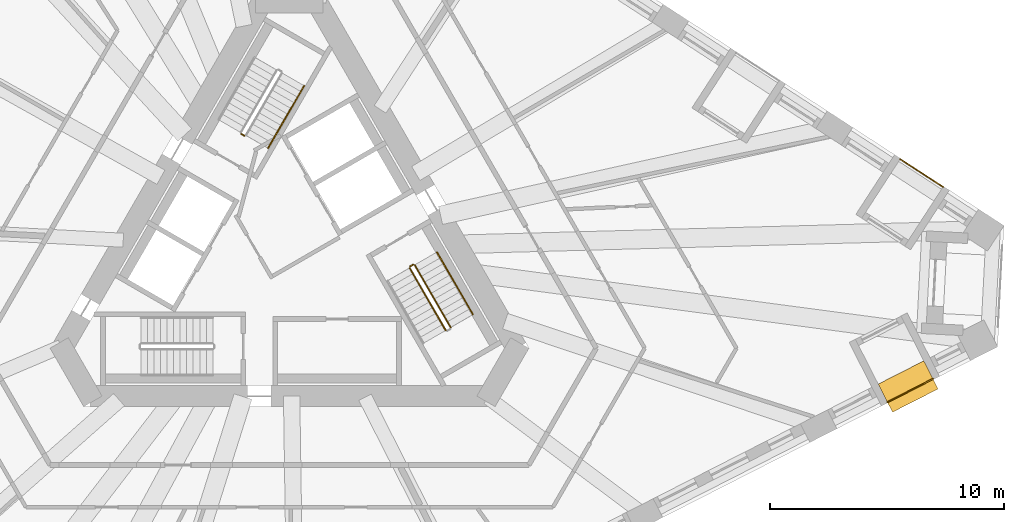
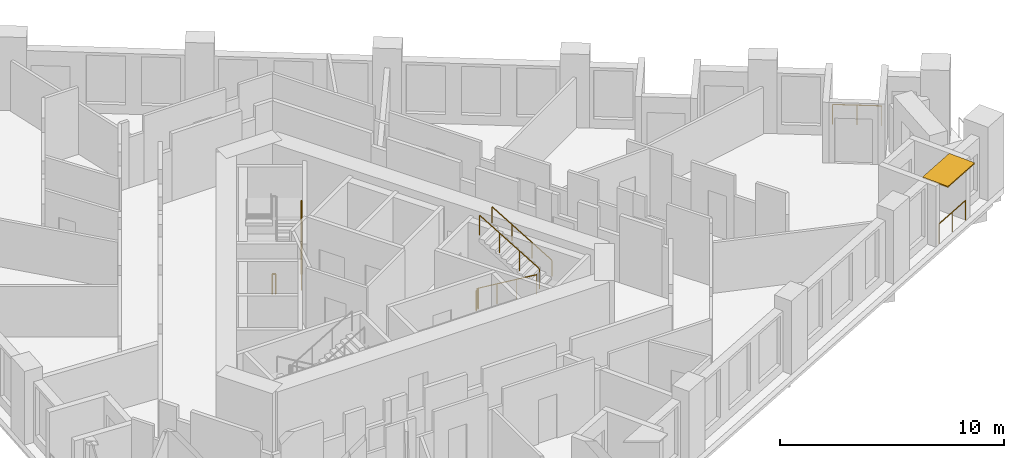
# One storey, part 10 of 12: 8 railings, 1 shading device.
"""IFC4 building model written with IfcOpenShell, lengths in metres."""

from ifc_helpers import new_model, si_unit, direction, frame, origin, origin_2d, place, context, subcontext, project, spatial, rectangle, circle, extrude, material, layer, layer_set, type_object, element, save


model = new_model("IFC4")

# Units and contexts
model_context = context("Model", 3, precision=1e-05, world=origin(), true_north=direction((0.0, 1.0)))
body_context = subcontext(model_context, "Body", "Model", "MODEL_VIEW")
ifc_project = project(units=[si_unit("LENGTHUNIT", "METRE"), si_unit("AREAUNIT", "SQUARE_METRE"), si_unit("VOLUMEUNIT", "CUBIC_METRE"), si_unit("PLANEANGLEUNIT", "RADIAN"), si_unit("MASSUNIT", "GRAM", prefix="KILO")], contexts=[model_context])

# Site, building, storey
site_placement = place(None, origin())
site = spatial("IfcSite", under=ifc_project, at=site_placement, CompositionType="ELEMENT")
building_placement = place(site_placement, origin())
building = spatial("IfcBuilding", under=site, at=building_placement, Name="Tramontana Tower", CompositionType="ELEMENT")
storey_placement = place(building_placement, frame((0.0, 0.0, 133.60009765625)))
storey = spatial("IfcBuildingStorey", under=building, at=storey_placement, Name="L30", CompositionType="ELEMENT", Elevation=133.60009765625)

# Railings
ifc_material_1 = material(Name="Laminated glass balustrade", Category="glass")
railing_type_1 = type_object("IfcRailingType", Name="GD1 Loggia glass balustrade 1100", PredefinedType="BALUSTRADE", material=ifc_material_1)
railing_1_placement = place(storey_placement, frame((25.603271484375, -6.5615234375, 0.0)))
element("IfcRailing", 1, at=railing_1_placement, inside=storey, type_object=railing_type_1, Name="Loggia balustrade L30 G3S1.16", PredefinedType="BALUSTRADE", context=body_context, shape_type="SweptSolid", body=[
    extrude(circle(Radius=0.02392578125, at=origin_2d()), frame((0.0, 0.0, 1.076171875), z_axis=(0.891013126725, 0.4539775413, 0.0), x_axis=(-0.4539775413, 0.891013126725, 0.0)), (0.0, 0.0, 1.0), 2.1904296875),
    extrude(circle(Radius=0.02099609375, at=origin_2d()), origin(), (0.0, 0.0, 1.0), 1.052001953125),
    extrude(circle(Radius=0.02099609375, at=origin_2d()), frame((0.975830078125, 0.4970703125, 0.0)), (0.0, 0.0, 1.0), 1.052001953125),
    extrude(circle(Radius=0.02099609375, at=origin_2d()), frame((1.95166015625, 0.994384765625, 0.0)), (0.0, 0.0, 1.0), 1.052001953125),
])
railing_2_placement = place(storey_placement, frame((27.98583984375, 2.65625, 0.0)))
element("IfcRailing", 2, at=railing_2_placement, inside=storey, type_object=railing_type_1, Name="Loggia balustrade L30 G3S2.1", PredefinedType="BALUSTRADE", context=body_context, shape_type="SweptSolid", body=[
    extrude(circle(Radius=0.02392578125, at=origin_2d()), frame((0.0, 0.0, 1.076171875), z_axis=(-0.838659986147, 0.544655329209, 0.0), x_axis=(-0.544655329209, -0.838659986147, 0.0)), (0.0, 0.0, 1.0), 2.190673828125),
    extrude(circle(Radius=0.02099609375, at=origin_2d()), origin(), (0.0, 0.0, 1.0), 1.052001953125),
    extrude(circle(Radius=0.02099609375, at=origin_2d()), frame((-0.91845703125, 0.5966796875, 0.0)), (0.0, 0.0, 1.0), 1.052001953125),
    extrude(circle(Radius=0.02099609375, at=origin_2d()), frame((-1.837158203125, 1.193115234375, 0.0)), (0.0, 0.0, 1.0), 1.052001953125),
])

# Shading device
ifc_material_2 = material(Name="Precast concrete 60 MPa", Category="concrete")
ifc_layer = layer(ifc_material_2, 0.06005859375)
ifc_layer_set = layer_set([ifc_layer], Name="SS1 Stone sunshade blade 60")
shading_device_type = type_object("IfcShadingDeviceType", Name="SS1 Stone sunshade blade 60", PredefinedType="USERDEFINED", material=ifc_layer_set)
shading_device_placement = place(storey_placement, frame((26.490478515625, -5.890625, 3.239990234375), z_axis=(0.0, 0.0, 1.0), x_axis=(0.891006524188, 0.45399049974, 0.0)))
element("IfcShadingDevice", 3, at=shading_device_placement, inside=storey, type_object=shading_device_type, Name="Sunshade L30 G3S1.16", ObjectType="SUNSHADE", PredefinedType="USERDEFINED", context=body_context, shape_type="SweptSolid", body=[
    extrude(rectangle(XDim=2.1904296875, YDim=1.35009765625, at=origin_2d()), origin(), (0.0, 0.0, 1.0), 0.06005859375),
])

# Railings
ifc_material_3 = material(Name="Painted steel", Category="steel")
railing_type_2 = type_object("IfcRailingType", Name="STAIR GUARD 1100", PredefinedType="GUARDRAIL", material=ifc_material_3)
railing_3_placement = place(storey_placement, frame((-1.935791015625, 4.84716796875, 0.0)))
element("IfcRailing", 4, at=railing_3_placement, inside=storey, type_object=railing_type_2, Name="L30 ST1 stair guard 4", PredefinedType="GUARDRAIL", context=body_context, shape_type="SweptSolid", body=[
    extrude(circle(Radius=0.02392578125, at=origin_2d()), frame((0.0, 0.0, 1.076171875), z_axis=(-0.865426285481, 0.501036270542, 0.0), x_axis=(-0.501036270542, -0.865426285481, 0.0)), (0.0, 0.0, 1.0), 0.150146484375),
    extrude(circle(Radius=0.02099609375, at=origin_2d()), origin(), (0.0, 0.0, 1.0), 1.052001953125),
    extrude(circle(Radius=0.02099609375, at=origin_2d()), frame((-0.1298828125, 0.0751953125, 0.0)), (0.0, 0.0, 1.0), 1.052001953125),
])
railing_4_placement = place(storey_placement, frame((5.1474609375, -0.815673828125, 0.16650390625)))
element("IfcRailing", 5, at=railing_4_placement, inside=storey, type_object=railing_type_2, Name="L30 ST3 stair guard 1", PredefinedType="GUARDRAIL", context=body_context, shape_type="SweptSolid", body=[
    extrude(circle(Radius=0.02392578125, at=origin_2d()), frame((0.0, 0.0, 1.076171875), z_axis=(0.429656224001, -0.744133520484, 0.511527939481), x_axis=(0.866010015463, 0.500026652407, 0.0)), (0.0, 0.0, 1.0), 3.58447265625),
    extrude(circle(Radius=0.02099609375, at=origin_2d()), origin(), (0.0, 0.0, 1.0), 1.052001953125),
    extrude(circle(Radius=0.02099609375, at=origin_2d()), frame((0.513427734375, -0.88916015625, 0.611083984375)), (0.0, 0.0, 1.0), 1.052001953125),
    extrude(circle(Radius=0.02099609375, at=origin_2d()), frame((1.026611328125, -1.778076171875, 1.222412109375)), (0.0, 0.0, 1.0), 1.052001953125),
    extrude(circle(Radius=0.02099609375, at=origin_2d()), frame((1.5400390625, -2.667236328125, 1.83349609375)), (0.0, 0.0, 1.0), 1.052001953125),
])
railing_5_placement = place(storey_placement, frame((6.90380859375, -3.35791015625, 2.16650390625)))
element("IfcRailing", 6, at=railing_5_placement, inside=storey, type_object=railing_type_2, Name="L30 ST3 stair guard 2", PredefinedType="GUARDRAIL", context=body_context, shape_type="SweptSolid", body=[
    extrude(circle(Radius=0.02392578125, at=origin_2d()), frame((0.0, 0.0, 1.076171875), z_axis=(-0.429600682602, 0.744155296881, 0.511542908886), x_axis=(-0.866044340336, -0.499967199496, 0.0)), (0.0, 0.0, 1.0), 3.584228515625),
    extrude(circle(Radius=0.02099609375, at=origin_2d()), origin(), (0.0, 0.0, 1.0), 1.052001953125),
    extrude(circle(Radius=0.02099609375, at=origin_2d()), frame((-0.51318359375, 0.88916015625, 0.611083984375)), (0.0, 0.0, 1.0), 1.052001953125),
    extrude(circle(Radius=0.02099609375, at=origin_2d()), frame((-1.026611328125, 1.778076171875, 1.222412109375)), (0.0, 0.0, 1.0), 1.052001953125),
    extrude(circle(Radius=0.02099609375, at=origin_2d()), frame((-1.539794921875, 2.667236328125, 1.83349609375)), (0.0, 0.0, 1.0), 1.052001953125),
])
railing_6_placement = place(storey_placement, frame((5.165771484375, -0.747314453125, 0.0)))
element("IfcRailing", 7, at=railing_6_placement, inside=storey, type_object=railing_type_2, Name="L30 ST3 stair guard 4", PredefinedType="GUARDRAIL", context=body_context, shape_type="SweptSolid", body=[
    extrude(circle(Radius=0.02392578125, at=origin_2d()), frame((0.0, 0.0, 1.076171875), z_axis=(0.866131372301, 0.499816412211, 0.0), x_axis=(-0.499816412211, 0.866131372301, 0.0)), (0.0, 0.0, 1.0), 0.14990234375),
    extrude(circle(Radius=0.02099609375, at=origin_2d()), origin(), (0.0, 0.0, 1.0), 1.052001953125),
    extrude(circle(Radius=0.02099609375, at=origin_2d()), frame((0.1298828125, 0.074951171875, 0.0)), (0.0, 0.0, 1.0), 1.052001953125),
])
ifc_material_4 = material(Name="Painted steel", Category="steel")
railing_type_3 = type_object("IfcRailingType", Name="STAIR HANDRAIL 900", PredefinedType="HANDRAIL", material=ifc_material_4)
railing_7_placement = place(storey_placement, frame((-0.914794921875, 4.315673828125, 0.16650390625)))
element("IfcRailing", 8, at=railing_7_placement, inside=storey, type_object=railing_type_3, Name="L30 ST1 stair handrail 1", PredefinedType="HANDRAIL", context=body_context, shape_type="SweptSolid", body=[
    extrude(circle(Radius=0.02392578125, at=origin_2d()), frame((0.0, 0.0, 0.8759765625), z_axis=(0.429656224001, 0.744133520484, 0.511527939481), x_axis=(-0.866010015463, 0.500026652407, 0.0)), (0.0, 0.0, 1.0), 3.58447265625),
    extrude(circle(Radius=0.02099609375, at=origin_2d()), origin(), (0.0, 0.0, 1.0), 0.851806640625),
    extrude(circle(Radius=0.02099609375, at=origin_2d()), frame((0.513427734375, 0.88916015625, 0.611083984375)), (0.0, 0.0, 1.0), 0.851806640625),
    extrude(circle(Radius=0.02099609375, at=origin_2d()), frame((1.026611328125, 1.778076171875, 1.222412109375)), (0.0, 0.0, 1.0), 0.851806640625),
    extrude(circle(Radius=0.02099609375, at=origin_2d()), frame((1.5400390625, 2.667236328125, 1.83349609375)), (0.0, 0.0, 1.0), 0.851806640625),
])
railing_8_placement = place(storey_placement, frame((7.8564453125, -2.807861328125, 2.16650390625)))
element("IfcRailing", 9, at=railing_8_placement, inside=storey, type_object=railing_type_3, Name="L30 ST3 stair handrail 2", PredefinedType="HANDRAIL", context=body_context, shape_type="SweptSolid", body=[
    extrude(circle(Radius=0.02392578125, at=origin_2d()), frame((0.0, 0.0, 0.8759765625), z_axis=(-0.429600682602, 0.744155296881, 0.511542908886), x_axis=(-0.866044340336, -0.499967199496, 0.0)), (0.0, 0.0, 1.0), 3.584228515625),
    extrude(circle(Radius=0.02099609375, at=origin_2d()), origin(), (0.0, 0.0, 1.0), 0.851806640625),
    extrude(circle(Radius=0.02099609375, at=origin_2d()), frame((-0.51318359375, 0.88916015625, 0.611083984375)), (0.0, 0.0, 1.0), 0.851806640625),
    extrude(circle(Radius=0.02099609375, at=origin_2d()), frame((-1.026611328125, 1.778076171875, 1.222412109375)), (0.0, 0.0, 1.0), 0.851806640625),
    extrude(circle(Radius=0.02099609375, at=origin_2d()), frame((-1.539794921875, 2.667236328125, 1.83349609375)), (0.0, 0.0, 1.0), 0.851806640625),
])

save(model, "model.ifc")
